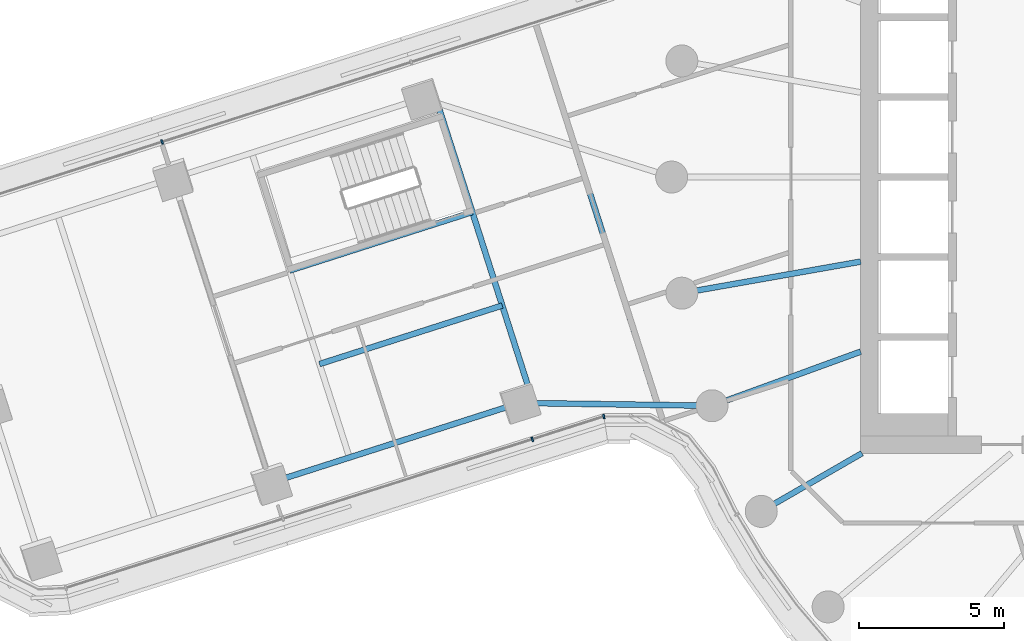
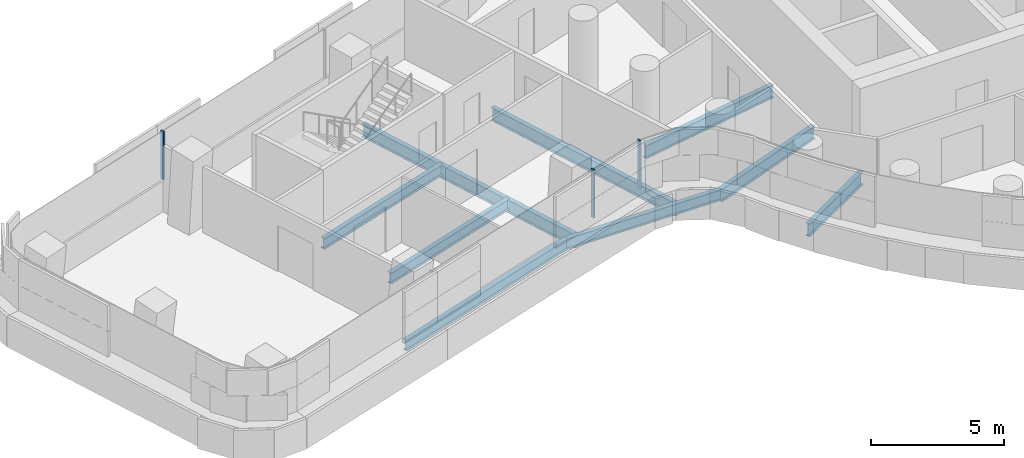
# One storey, part 5 of 30: 9 beams, 3 members, 3 elements without a shape of their own.
"""IFC4 building model written with IfcOpenShell, lengths in metres."""

from ifc_helpers import new_model, si_unit, direction, frame, origin, origin_2d, place, context, subcontext, project, spatial, rectangle, i_section, extrude, material, layer, layer_set, material_profile, profile_set, type_object, element, aggregate, save


model = new_model("IFC4")

# Units and contexts
model_context = context("Model", 3, precision=1e-05, world=origin(), true_north=direction((0.0, 1.0)))
body_context = subcontext(model_context, "Body", "Model", "MODEL_VIEW")
ifc_project = project(units=[si_unit("LENGTHUNIT", "METRE"), si_unit("AREAUNIT", "SQUARE_METRE"), si_unit("VOLUMEUNIT", "CUBIC_METRE"), si_unit("PLANEANGLEUNIT", "RADIAN"), si_unit("MASSUNIT", "GRAM", prefix="KILO")], contexts=[model_context])

# Site, building, storey
site_placement = place(None, origin())
site = spatial("IfcSite", under=ifc_project, at=site_placement, CompositionType="ELEMENT")
building_placement = place(site_placement, origin())
building = spatial("IfcBuilding", under=site, at=building_placement, Name="Tamarind Cross Interchange Tower", CompositionType="ELEMENT")
storey_placement = place(building_placement, frame((0.0, 0.0, 98.5)))
storey = spatial("IfcBuildingStorey", under=building, at=storey_placement, Name="L23", CompositionType="ELEMENT", Elevation=98.5)

# Beams
ifc_material_1 = material(Name="Steel Q355B", Category="steel")
ifc_material_profile_1 = material_profile(ifc_material_1, i_section(OverallWidth=0.198974609375, OverallDepth=0.49609375, WebThickness=0.009033203125, FlangeThickness=0.013916015625, FilletRadius=0.012939453125, at=origin_2d()), Name="HN 496x199x9x14")
ifc_profile_set_1 = profile_set([ifc_material_profile_1], Name="Steel Q355B")
beam_type_1 = type_object("IfcBeamType", Name="Composite beam HN 496x199x9x14 Q355B", PredefinedType="BEAM", material=ifc_profile_set_1)
beam_1_placement = place(storey_placement, frame((-36.797607421875, -10.515380859375, -0.387939453125), z_axis=(0.95233150291, 0.305065089063, 0.0), x_axis=(-0.305065089063, 0.95233150291, 0.0)))
element("IfcBeam", 1, at=beam_1_placement, inside=storey, type_object=beam_type_1, Name="Beam W-edgeep3", PredefinedType="BEAM", context=body_context, shape_type="SweptSolid", body=[
    extrude(i_section(OverallWidth=0.198974609375, OverallDepth=0.49609375, WebThickness=0.009033203125, FlangeThickness=0.013916015625, FilletRadius=0.012939453125, at=origin_2d()), origin(), (0.0, 0.0, 1.0), 9.0),
])
beam_2_placement = place(storey_placement, frame((-28.2265625, -7.769775390625, -0.387939453125), z_axis=(0.999893167146, -0.014616918092, 0.0), x_axis=(0.014616918092, 0.999893167146, 0.0)))
element("IfcBeam", 2, at=beam_2_placement, inside=storey, type_object=beam_type_1, Name="Beam W-linkep", PredefinedType="BEAM", context=body_context, shape_type="SweptSolid", body=[
    extrude(i_section(OverallWidth=0.198974609375, OverallDepth=0.49609375, WebThickness=0.009033203125, FlangeThickness=0.013916015625, FilletRadius=0.012939453125, at=origin_2d()), origin(), (0.0, 0.0, 1.0), 6.6142578125),
])
for number, where, z_axis, x_axis, name in (
    (3, (-29.857177734375, -1.204345703125, -0.387939453125), (-0.952331760351, -0.3050642854, 0.0), (0.3050642854, -0.952331760351, 0.0), "Beam W-tr1"),
    (4, (-28.82763671875, -4.41845703125, -0.387939453125), (-0.952331760351, -0.3050642854, 0.0), (0.3050642854, -0.952331760351, 0.0), "Beam W-stripp"),
):
    element("IfcBeam", number, at=place(storey_placement, frame(where, z_axis=z_axis, x_axis=x_axis)), inside=storey, type_object=beam_type_1, Name=name, PredefinedType="BEAM", context=body_context, shape_type="SweptSolid", body=[
        extrude(i_section(OverallWidth=0.198974609375, OverallDepth=0.49609375, WebThickness=0.009033203125, FlangeThickness=0.013916015625, FilletRadius=0.012939453125, at=origin_2d()), origin(), (0.0, 0.0, 1.0), 6.60009765625),
    ])
ifc_material_profile_2 = material_profile(ifc_material_1, i_section(OverallWidth=0.198974609375, OverallDepth=0.595947265625, WebThickness=0.010009765625, FlangeThickness=0.014892578125, FilletRadius=0.012939453125, at=origin_2d()), Name="HN 596x199x10x15")
ifc_profile_set_2 = profile_set([ifc_material_profile_2], Name="Steel Q355B")
beam_type_2 = type_object("IfcBeamType", Name="Composite beam HN 596x199x10x15 Q355B", PredefinedType="BEAM", material=ifc_profile_set_2)
beam_3_placement = place(storey_placement, frame((-22.650634765625, -3.993896484375, -0.43798828125), z_axis=(0.984809127561, 0.173640382036, 0.0), x_axis=(-0.173640382036, 0.984809127561, 0.0)))
element("IfcBeam", 5, at=beam_3_placement, inside=storey, type_object=beam_type_2, Name="Beam HH19", PredefinedType="BEAM", context=body_context, shape_type="SweptSolid", body=[
    extrude(i_section(OverallWidth=0.198974609375, OverallDepth=0.595947265625, WebThickness=0.010009765625, FlangeThickness=0.014892578125, FilletRadius=0.012939453125, at=origin_2d()), origin(), (0.0, 0.0, 1.0), 6.24560546875),
])
beam_4_placement = place(storey_placement, frame((-21.613037109375, -7.866455078125, -0.43798828125), z_axis=(0.939701685589, 0.341995236956, 0.0), x_axis=(-0.341995236956, 0.939701685589, 0.0)))
element("IfcBeam", 6, at=beam_4_placement, inside=storey, type_object=beam_type_2, Name="Beam HH20", PredefinedType="BEAM", context=body_context, shape_type="SweptSolid", body=[
    extrude(i_section(OverallWidth=0.198974609375, OverallDepth=0.595947265625, WebThickness=0.010009765625, FlangeThickness=0.014892578125, FilletRadius=0.012939453125, at=origin_2d()), origin(), (0.0, 0.0, 1.0), 5.441162109375),
])
beam_5_placement = place(storey_placement, frame((-19.918701171875, -11.5, -0.43798828125), z_axis=(0.866026010844, 0.49999894854, 0.0), x_axis=(-0.49999894854, 0.866026010844, 0.0)))
element("IfcBeam", 7, at=beam_5_placement, inside=storey, type_object=beam_type_2, Name="Beam HH21", PredefinedType="BEAM", context=body_context, shape_type="SweptSolid", body=[
    extrude(i_section(OverallWidth=0.198974609375, OverallDepth=0.595947265625, WebThickness=0.010009765625, FlangeThickness=0.014892578125, FilletRadius=0.012939453125, at=origin_2d()), origin(), (0.0, 0.0, 1.0), 4.0),
])
ifc_material_profile_3 = material_profile(ifc_material_1, i_section(OverallWidth=0.199951171875, OverallDepth=0.60009765625, WebThickness=0.010986328125, FlangeThickness=0.01708984375, FilletRadius=0.012939453125, at=origin_2d()), Name="HN 600x200x11x17")
ifc_profile_set_3 = profile_set([ifc_material_profile_3], Name="Steel Q355B")
beam_type_3 = type_object("IfcBeamType", Name="Composite beam HN 600x200x11x17 Q355B", PredefinedType="BEAM", material=ifc_profile_set_3)
beam_6_placement = place(storey_placement, frame((-31.056640625, 2.5400390625, -0.43994140625), z_axis=(0.305070905667, -0.952329639629, 0.0), x_axis=(0.952329639629, 0.305070905667, 0.0)))
element("IfcBeam", 8, at=beam_6_placement, inside=storey, type_object=beam_type_3, Name="Beam W-x298", PredefinedType="BEAM", context=body_context, shape_type="SweptSolid", body=[
    extrude(i_section(OverallWidth=0.199951171875, OverallDepth=0.60009765625, WebThickness=0.010986328125, FlangeThickness=0.01708984375, FilletRadius=0.012939453125, at=origin_2d()), origin(), (0.0, 0.0, 1.0), 10.833251953125),
])
beam_7_placement = place(storey_placement, frame((-26.326171875, 1.048583984375, -0.43994140625), z_axis=(0.305077557593, -0.952327508714, 0.0), x_axis=(0.952327508714, 0.305077557593, 0.0)))
element("IfcBeam", 9, at=beam_7_placement, inside=storey, type_object=beam_type_3, Name="Beam W-x258", PredefinedType="BEAM", context=body_context, shape_type="SweptSolid", body=[
    extrude(i_section(OverallWidth=0.199951171875, OverallDepth=0.60009765625, WebThickness=0.010986328125, FlangeThickness=0.01708984375, FilletRadius=0.012939453125, at=origin_2d()), origin(), (0.0, 0.0, 1.0), 9.33251953125),
])

# Curtain wall, member
ifc_material_2 = material(Name="Aluminium 6063-T6", Category="aluminium")
ifc_layer = layer(ifc_material_2, 0.159912109375)
ifc_layer_set = layer_set([ifc_layer], Name="Aluminium 6063-T6")
curtain_wall_type = type_object("IfcCurtainWallType", Name="Office curtain wall, 9.0 m bays", PredefinedType="NOTDEFINED", material=ifc_layer_set)
curtain_wall_1_placement = place(storey_placement, origin())
curtain_wall_1 = element("IfcCurtainWall", 10, at=curtain_wall_1_placement, inside=storey, type_object=curtain_wall_type, Name="CWS-L23-07", PredefinedType="NOTDEFINED")
ifc_material_profile_4 = material_profile(ifc_material_2, rectangle(XDim=0.06005859375, YDim=0.159912109375, at=origin_2d()), Name="Mullion CW1")
ifc_profile_set_4 = profile_set([ifc_material_profile_4], Name="Aluminium 6063-T6")
member_type = type_object("IfcMemberType", Name="Mullion CW1", PredefinedType="MULLION", material=ifc_profile_set_4)
member_1_placement = place(storey_placement, frame((-40.526611328125, 1.205810546875, 1.39990234375), z_axis=(0.0, 0.0, 1.0), x_axis=(-0.95233405785, -0.305057113111, 0.0)))
member_1 = element("IfcMember", 11, at=member_1_placement, type_object=member_type, Name="CWM-L23-07-02", PredefinedType="MULLION", context=body_context, shape_type="SweptSolid", body=[
    extrude(rectangle(XDim=0.06005859375, YDim=0.159912109375, at=origin_2d()), origin(), (0.0, 0.0, 1.0), 2.210205078125),
])
aggregate(curtain_wall_1, [member_1])

curtain_wall_2_placement = place(storey_placement, origin())
curtain_wall_2 = element("IfcCurtainWall", 12, at=curtain_wall_2_placement, inside=storey, type_object=curtain_wall_type, Name="CWS-L23-09", PredefinedType="NOTDEFINED")
member_2_placement = place(storey_placement, frame((-27.793212890625, -9.021728515625, 1.39990234375), z_axis=(0.0, 0.0, 1.0), x_axis=(0.952773264992, 0.303682573614, 0.0)))
member_2 = element("IfcMember", 13, at=member_2_placement, type_object=member_type, Name="CWM-L23-09-02", PredefinedType="MULLION", context=body_context, shape_type="SweptSolid", body=[
    extrude(rectangle(XDim=0.06005859375, YDim=0.159912109375, at=origin_2d()), origin(), (0.0, 0.0, 1.0), 2.210205078125),
])
aggregate(curtain_wall_2, [member_2])

curtain_wall_3_placement = place(storey_placement, origin())
curtain_wall_3 = element("IfcCurtainWall", 14, at=curtain_wall_3_placement, inside=storey, type_object=curtain_wall_type, Name="CWS-L23-10", PredefinedType="NOTDEFINED")
member_3_placement = place(storey_placement, frame((-25.332763671875, -8.2373046875, 1.39990234375), z_axis=(0.0, 0.0, 1.0), x_axis=(0.988132427899, 0.153604377977, 0.0)))
member_3 = element("IfcMember", 15, at=member_3_placement, type_object=member_type, Name="CWM-L23-10-00", PredefinedType="MULLION", context=body_context, shape_type="SweptSolid", body=[
    extrude(rectangle(XDim=0.06005859375, YDim=0.159912109375, at=origin_2d()), origin(), (0.0, 0.0, 1.0), 2.210205078125),
])
aggregate(curtain_wall_3, [member_3])

save(model, "model.ifc")
